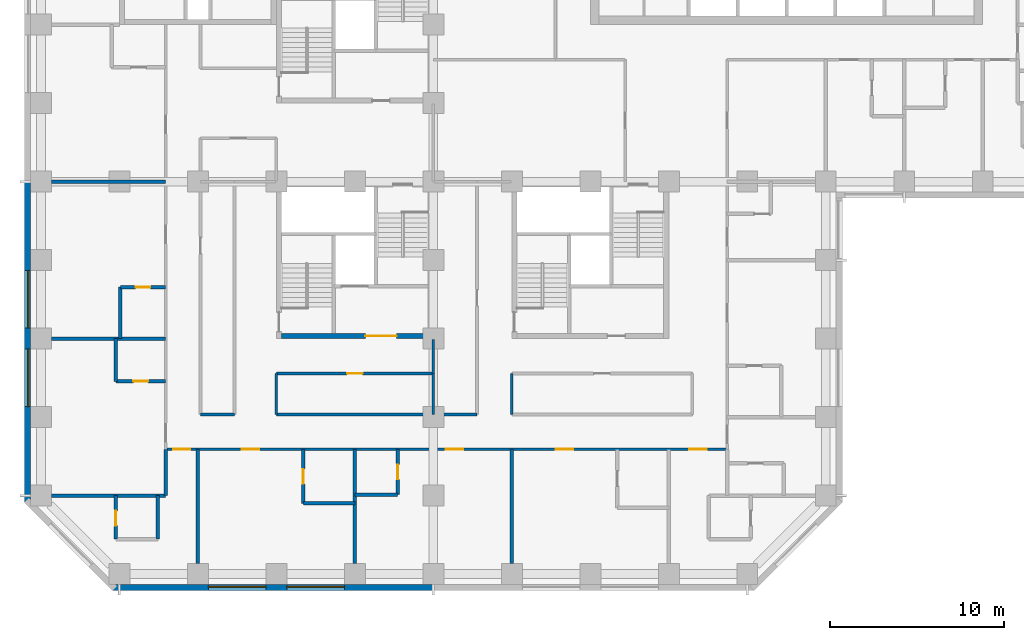
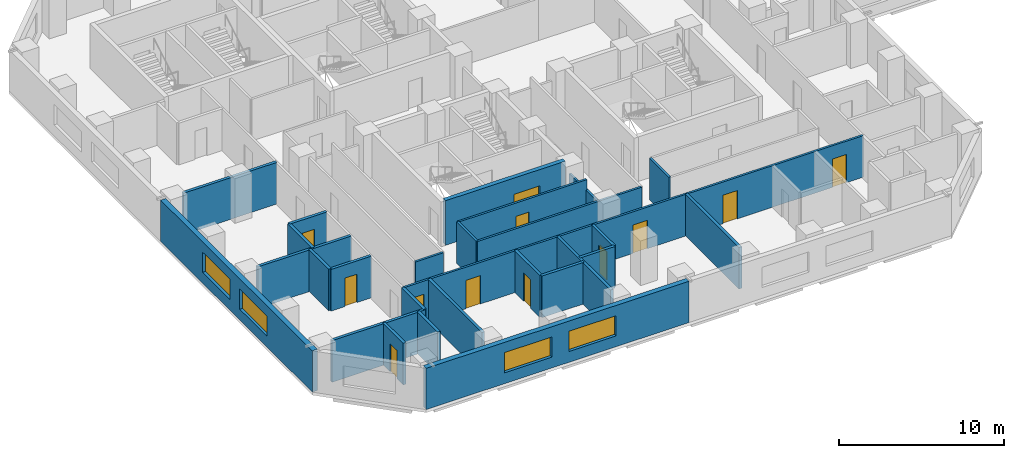
# One storey, part 3 of 13: 28 walls, 12 doors, 4 windows, 16 openings.
"""IFC4 building model written with IfcOpenShell, lengths in metres."""

from ifc_helpers import new_model, si_unit, direction, frame, frame_2d, origin, place, context, subcontext, project, spatial, rectangle, extrude, material, layer, layer_set, constituent, constituent_set, type_object, element, fill, save


model = new_model("IFC4")

# Units and contexts
model_context = context("Model", 3, precision=1e-05, world=origin(), true_north=direction((0.0, 1.0)))
body_context = subcontext(model_context, "Body", "Model", "MODEL_VIEW")
ifc_project = project(units=[si_unit("LENGTHUNIT", "METRE"), si_unit("AREAUNIT", "SQUARE_METRE"), si_unit("VOLUMEUNIT", "CUBIC_METRE"), si_unit("PLANEANGLEUNIT", "RADIAN"), si_unit("MASSUNIT", "GRAM", prefix="KILO")], contexts=[model_context])

# Site, building, storey
site_placement = place(None, origin())
site = spatial("IfcSite", under=ifc_project, at=site_placement, CompositionType="ELEMENT")
building_placement = place(site_placement, origin())
building = spatial("IfcBuilding", under=site, at=building_placement, Name="Quoin Convention Tower", CompositionType="ELEMENT")
storey_placement = place(building_placement, frame((0.0, 0.0, 62.699951171875)))
storey = spatial("IfcBuildingStorey", under=building, at=storey_placement, Name="L16", CompositionType="ELEMENT", Elevation=62.699951171875)

# Wall, openings, windows
ifc_material_1 = material(Name="Brick masonry", Category="masonry")
ifc_layer_1 = layer(ifc_material_1, 0.35009765625)
ifc_layer_set_1 = layer_set([ifc_layer_1], Name="Brick masonry")
wall_type_1 = type_object("IfcWallType", Name="Brick facade wall", PredefinedType="STANDARD", material=ifc_layer_set_1)
wall_1_placement = place(storey_placement, frame((17.6064453125, 17.22509765625, 0.0), z_axis=(0.0, 0.0, 1.0), x_axis=(1.0, 0.0, 0.0)))
wall_1 = element("IfcWall", 1, at=wall_1_placement, inside=storey, type_object=wall_type_1, Name="fw-L16-18000_18000", PredefinedType="STANDARD", context=body_context, shape_type="SweptSolid", body=[
    extrude(rectangle(XDim=18.3935546875, YDim=0.35009765625, at=frame_2d((9.19677734375, 0.0))), origin(), (0.0, 0.0, 1.0), 3.054931640625),
])
opening_1_placement = place(wall_1_placement, frame((5.493408203125, 0.0, 0.800048828125)))
opening_1 = element("IfcOpeningElement", 2, at=opening_1_placement, cuts=wall_1, Name="Opening W-01", PredefinedType="OPENING", context=body_context, shape_type="SweptSolid", body=[
    extrude(rectangle(XDim=3.300048828125, YDim=1.5, at=frame_2d((1.64990234375, 0.75))), frame((0.0, 0.18505859375, 0.0), z_axis=(0.0, -1.0, 0.0), x_axis=(1.0, 0.0, 0.0)), (0.0, 0.0, 1.0), 0.3701171875),
])
opening_2_placement = place(wall_1_placement, frame((9.993408203125, 0.0, 0.800048828125)))
opening_2 = element("IfcOpeningElement", 3, at=opening_2_placement, cuts=wall_1, Name="Opening W-01", PredefinedType="OPENING", context=body_context, shape_type="SweptSolid", body=[
    extrude(rectangle(XDim=3.300048828125, YDim=1.5, at=frame_2d((1.64990234375, 0.75))), frame((0.0, 0.18505859375, 0.0), z_axis=(0.0, -1.0, 0.0), x_axis=(1.0, 0.0, 0.0)), (0.0, 0.0, 1.0), 0.3701171875),
])
ifc_material_2 = material(Name="Aluminium", Category="aluminium")
ifc_constituent_1 = constituent(ifc_material_2, Name="Frame")
ifc_material_3 = material(Name="Insulated glass", Category="glass")
ifc_constituent_2 = constituent(ifc_material_3, Name="Glazing")
ifc_constituent_set = constituent_set(constituents=[ifc_constituent_1, ifc_constituent_2], Name="Aluminium")
window_type = type_object("IfcWindowType", Name="Hotel strip window", PartitioningType="DOUBLE_PANEL_VERTICAL", PredefinedType="WINDOW", material=ifc_constituent_set)
window_1_placement = place(opening_1_placement, origin())
window_1 = element("IfcWindow", 4, at=window_1_placement, inside=storey, type_object=window_type, Name="win-L16-24750_17225", OverallHeight=1.5, OverallWidth=3.300048828125, PartitioningType="SINGLE_PANEL", PredefinedType="WINDOW", context=body_context, shape_type="SweptSolid", body=[
    extrude(rectangle(XDim=3.300048828125, YDim=1.5, at=frame_2d((1.64990234375, 0.75))), frame((0.0, 0.0849609375, 0.0), z_axis=(0.0, -1.0, 0.0), x_axis=(1.0, 0.0, 0.0)), (0.0, 0.0, 1.0), 0.06005859375),
])
fill(opening_1, window_1)
window_2_placement = place(opening_2_placement, origin())
window_2 = element("IfcWindow", 5, at=window_2_placement, inside=storey, type_object=window_type, Name="win-L16-29250_17225", OverallHeight=1.5, OverallWidth=3.300048828125, PartitioningType="SINGLE_PANEL", PredefinedType="WINDOW", context=body_context, shape_type="SweptSolid", body=[
    extrude(rectangle(XDim=3.300048828125, YDim=1.5, at=frame_2d((1.64990234375, 0.75))), frame((0.0, 0.0849609375, 0.0), z_axis=(0.0, -1.0, 0.0), x_axis=(1.0, 0.0, 0.0)), (0.0, 0.0, 1.0), 0.06005859375),
])
fill(opening_2, window_2)

wall_2_placement = place(storey_placement, frame((12.72509765625, 40.5, 0.0), z_axis=(0.0, 0.0, 1.0), x_axis=(0.0, -1.0, 0.0)))
wall_2 = element("IfcWall", 6, at=wall_2_placement, inside=storey, type_object=wall_type_1, Name="fw-L16-13500_40500", PredefinedType="STANDARD", context=body_context, shape_type="SweptSolid", body=[
    extrude(rectangle(XDim=18.3935546875, YDim=0.35009765625, at=frame_2d((9.19677734375, 0.0))), origin(), (0.0, 0.0, 1.0), 3.054931640625),
])
opening_3_placement = place(wall_2_placement, frame((5.10009765625, 0.0, 0.800048828125)))
opening_3 = element("IfcOpeningElement", 7, at=opening_3_placement, cuts=wall_2, Name="Opening W-01", PredefinedType="OPENING", context=body_context, shape_type="SweptSolid", body=[
    extrude(rectangle(XDim=3.300048828125, YDim=1.5, at=frame_2d((1.64990234375, 0.75))), frame((0.0, 0.18505859375, 0.0), z_axis=(0.0, -1.0, 0.0), x_axis=(1.0, 0.0, 0.0)), (0.0, 0.0, 1.0), 0.3701171875),
])
opening_4_placement = place(wall_2_placement, frame((9.60009765625, 0.0, 0.800048828125)))
opening_4 = element("IfcOpeningElement", 8, at=opening_4_placement, cuts=wall_2, Name="Opening W-01", PredefinedType="OPENING", context=body_context, shape_type="SweptSolid", body=[
    extrude(rectangle(XDim=3.300048828125, YDim=1.5, at=frame_2d((1.64990234375, 0.75))), frame((0.0, 0.18505859375, 0.0), z_axis=(0.0, -1.0, 0.0), x_axis=(1.0, 0.0, 0.0)), (0.0, 0.0, 1.0), 0.3701171875),
])
window_3_placement = place(opening_3_placement, origin())
window_3 = element("IfcWindow", 9, at=window_3_placement, inside=storey, type_object=window_type, Name="win-L16-12725_33750", OverallHeight=1.5, OverallWidth=3.300048828125, PartitioningType="SINGLE_PANEL", PredefinedType="WINDOW", context=body_context, shape_type="SweptSolid", body=[
    extrude(rectangle(XDim=3.300048828125, YDim=1.5, at=frame_2d((1.64990234375, 0.75))), frame((0.0, 0.0849609375, 0.0), z_axis=(0.0, -1.0, 0.0), x_axis=(1.0, 0.0, 0.0)), (0.0, 0.0, 1.0), 0.06005859375),
])
fill(opening_3, window_3)
window_4_placement = place(opening_4_placement, origin())
window_4 = element("IfcWindow", 10, at=window_4_placement, inside=storey, type_object=window_type, Name="win-L16-12725_29250", OverallHeight=1.5, OverallWidth=3.300048828125, PartitioningType="SINGLE_PANEL", PredefinedType="WINDOW", context=body_context, shape_type="SweptSolid", body=[
    extrude(rectangle(XDim=3.300048828125, YDim=1.5, at=frame_2d((1.64990234375, 0.75))), frame((0.0, 0.0849609375, 0.0), z_axis=(0.0, -1.0, 0.0), x_axis=(1.0, 0.0, 0.0)), (0.0, 0.0, 1.0), 0.06005859375),
])
fill(opening_4, window_4)

# Wall, opening, door
ifc_material_4 = material(Name="Concrete C80", Category="concrete")
ifc_layer_2 = layer(ifc_material_4, 0.300048828125)
ifc_layer_set_2 = layer_set([ifc_layer_2], Name="Concrete C80")
wall_type_2 = type_object("IfcWallType", Name="RC CORE WALL 300 C80", PredefinedType="SHEAR", material=ifc_layer_set_2)
wall_3_placement = place(storey_placement, frame((27.300048828125, 31.64990234375, 0.0), z_axis=(0.0, 0.0, 1.0), x_axis=(1.0, 0.0, 0.0)))
wall_3 = element("IfcWall", 11, at=wall_3_placement, inside=storey, type_object=wall_type_2, Name="cwl-P4-L16-S", PredefinedType="SHEAR", context=body_context, shape_type="SweptSolid", body=[
    extrude(rectangle(XDim=8.39990234375, YDim=0.300048828125, at=frame_2d((4.199951171875, 0.0))), origin(), (0.0, 0.0, 1.0), 3.300048828125),
])
opening_5_placement = place(wall_3_placement, frame((4.800048828125, 0.0, 0.0)))
opening_5 = element("IfcOpeningElement", 12, at=opening_5_placement, cuts=wall_3, Name="Opening DCV0-62", PredefinedType="OPENING", context=body_context, shape_type="SweptSolid", body=[
    extrude(rectangle(XDim=1.800048828125, YDim=2.10009765625, at=frame_2d((0.89990234375, 1.050048828125))), frame((0.0, 0.159912109375, 0.0), z_axis=(0.0, -1.0, 0.0), x_axis=(1.0, 0.0, 0.0)), (0.0, 0.0, 1.0), 0.320068359375),
])
ifc_material_5 = material(Name="Steel door leaf", Category="steel")
door_type_1 = type_object("IfcDoorType", Name="Goods lobby door 1800 x 2100", OperationType="SINGLE_SWING_LEFT", PredefinedType="DOOR", material=ifc_material_5)
door_1_placement = place(opening_5_placement, origin())
door_1 = element("IfcDoor", 13, at=door_1_placement, inside=storey, type_object=door_type_1, Name="cd-P4-L16-R2-S", OperationType="SINGLE_SWING_LEFT", OverallHeight=2.10009765625, OverallWidth=1.800048828125, PredefinedType="DOOR", context=body_context, shape_type="SweptSolid", body=[
    extrude(rectangle(XDim=1.800048828125, YDim=2.10009765625, at=frame_2d((0.89990234375, 1.050048828125))), frame((0.0, 0.02490234375, 0.0), z_axis=(0.0, -1.0, 0.0), x_axis=(1.0, 0.0, 0.0)), (0.0, 0.0, 1.0), 0.050048828125),
])
fill(opening_5, door_1)

# Walls
ifc_material_6 = material(Name="Concrete C50", Category="concrete")
ifc_layer_3 = layer(ifc_material_6, 0.199951171875)
ifc_layer_set_3 = layer_set([ifc_layer_3], Name="Concrete C50")
wall_type_3 = type_object("IfcWallType", Name="RC party wall", PredefinedType="SOLIDWALL", material=ifc_layer_set_3)
for number, where, z_axis, x_axis, name in (
    (14, (22.5, 18.60009765625, 0.0), (0.0, 0.0, 1.0), (0.0, 1.0, 0.0), "pw-L16-039"),
    (15, (31.5, 18.60009765625, 0.0), (0.0, 0.0, 1.0), (0.0, 1.0, 0.0), "pw-L16-040"),
    (16, (40.5, 18.60009765625, 0.0), (0.0, 0.0, 1.0), (0.0, 1.0, 0.0), "pw-L16-041"),
):
    element("IfcWall", number, at=place(storey_placement, frame(where, z_axis=z_axis, x_axis=x_axis)), inside=storey, type_object=wall_type_3, Name=name, PredefinedType="SOLIDWALL", context=body_context, shape_type="SweptSolid", body=[
        extrude(rectangle(XDim=6.5498046875, YDim=0.199951171875, at=frame_2d((3.27490234375, 0.0))), origin(), (0.0, 0.0, 1.0), 3.080078125),
    ])

# Wall, opening, door
wall_4_placement = place(storey_placement, frame((17.800048828125, 20.0, 0.0), z_axis=(0.0, 0.0, 1.0), x_axis=(0.0, 1.0, 0.0)))
wall_4 = element("IfcWall", 17, at=wall_4_placement, inside=storey, type_object=wall_type_3, Name="pw-L16-044", PredefinedType="SOLIDWALL", context=body_context, shape_type="SweptSolid", body=[
    extrude(rectangle(XDim=2.5, YDim=0.199951171875, at=frame_2d((1.25, 0.0))), origin(), (0.0, 0.0, 1.0), 3.080078125),
])
opening_6_placement = place(wall_4_placement, frame((0.77490234375, 0.0, 0.0)))
opening_6 = element("IfcOpeningElement", 18, at=opening_6_placement, cuts=wall_4, Name="Opening DHOTEL-E-36", PredefinedType="OPENING", context=body_context, shape_type="SweptSolid", body=[
    extrude(rectangle(XDim=0.85009765625, YDim=2.10009765625, at=frame_2d((0.425048828125, 1.050048828125))), frame((0.0, 0.10986328125, 0.0), z_axis=(0.0, -1.0, 0.0), x_axis=(1.0, 0.0, 0.0)), (0.0, 0.0, 1.0), 0.219970703125),
])
door_type_2 = type_object("IfcDoorType", Name="Bathroom door", OperationType="SINGLE_SWING_LEFT", PredefinedType="DOOR", material=ifc_material_5)
door_2_placement = place(opening_6_placement, origin())
door_2 = element("IfcDoor", 19, at=door_2_placement, inside=storey, type_object=door_type_2, Name="dr-L16-050", OperationType="SINGLE_SWING_RIGHT", OverallHeight=2.10009765625, OverallWidth=0.85009765625, PredefinedType="DOOR", context=body_context, shape_type="SweptSolid", body=[
    extrude(rectangle(XDim=0.85009765625, YDim=2.10009765625, at=frame_2d((0.425048828125, 1.050048828125))), frame((0.0, 0.02490234375, 0.0), z_axis=(0.0, -1.0, 0.0), x_axis=(1.0, 0.0, 0.0)), (0.0, 0.0, 1.0), 0.050048828125),
])
fill(opening_6, door_2)

# Walls
wall_5_placement = place(storey_placement, frame((20.199951171875, 20.0, 0.0), z_axis=(0.0, 0.0, 1.0), x_axis=(0.0, 1.0, 0.0)))
element("IfcWall", 20, at=wall_5_placement, inside=storey, type_object=wall_type_3, Name="pw-L16-045", PredefinedType="SOLIDWALL", context=body_context, shape_type="SweptSolid", body=[
    extrude(rectangle(XDim=2.5, YDim=0.199951171875, at=frame_2d((1.25, 0.0))), origin(), (0.0, 0.0, 1.0), 3.080078125),
])
wall_6_placement = place(storey_placement, frame((28.550048828125, 22.050048828125, 0.0), z_axis=(0.0, 0.0, 1.0), x_axis=(1.0, 0.0, 0.0)))
element("IfcWall", 21, at=wall_6_placement, inside=storey, type_object=wall_type_3, Name="pw-L16-051", PredefinedType="SOLIDWALL", context=body_context, shape_type="SweptSolid", body=[
    extrude(rectangle(XDim=2.949951171875, YDim=0.199951171875, at=frame_2d((1.47509765625, 0.0))), origin(), (0.0, 0.0, 1.0), 3.080078125),
])

# Wall, opening, door
wall_7_placement = place(storey_placement, frame((28.550048828125, 22.050048828125, 0.0), z_axis=(0.0, 0.0, 1.0), x_axis=(0.0, 1.0, 0.0)))
wall_7 = element("IfcWall", 22, at=wall_7_placement, inside=storey, type_object=wall_type_3, Name="pw-L16-052", PredefinedType="SOLIDWALL", context=body_context, shape_type="SweptSolid", body=[
    extrude(rectangle(XDim=3.099853515625, YDim=0.199951171875, at=frame_2d((1.5498046875, 0.0))), origin(), (0.0, 0.0, 1.0), 3.080078125),
])
opening_7_placement = place(wall_7_placement, frame((1.125, 0.0, 0.0)))
opening_7 = element("IfcOpeningElement", 23, at=opening_7_placement, cuts=wall_7, Name="Opening DHOTEL-E-39", PredefinedType="OPENING", context=body_context, shape_type="SweptSolid", body=[
    extrude(rectangle(XDim=0.85009765625, YDim=2.10009765625, at=frame_2d((0.425048828125, 1.050048828125))), frame((0.0, 0.10986328125, 0.0), z_axis=(0.0, -1.0, 0.0), x_axis=(1.0, 0.0, 0.0)), (0.0, 0.0, 1.0), 0.219970703125),
])
door_3_placement = place(opening_7_placement, origin())
door_3 = element("IfcDoor", 24, at=door_3_placement, inside=storey, type_object=door_type_2, Name="dr-L16-002", OperationType="SINGLE_SWING_RIGHT", OverallHeight=2.10009765625, OverallWidth=0.85009765625, PredefinedType="DOOR", context=body_context, shape_type="SweptSolid", body=[
    extrude(rectangle(XDim=0.85009765625, YDim=2.10009765625, at=frame_2d((0.425048828125, 1.050048828125))), frame((0.0, 0.02490234375, 0.0), z_axis=(0.0, -1.0, 0.0), x_axis=(1.0, 0.0, 0.0)), (0.0, 0.0, 1.0), 0.050048828125),
])
fill(opening_7, door_3)

# Walls
wall_8_placement = place(storey_placement, frame((14.10009765625, 22.5, 0.0), z_axis=(0.0, 0.0, 1.0), x_axis=(1.0, 0.0, 0.0)))
element("IfcWall", 25, at=wall_8_placement, inside=storey, type_object=wall_type_3, Name="pw-L16-053", PredefinedType="SOLIDWALL", context=body_context, shape_type="SweptSolid", body=[
    extrude(rectangle(XDim=6.5498046875, YDim=0.199951171875, at=frame_2d((3.27490234375, 0.0))), origin(), (0.0, 0.0, 1.0), 3.080078125),
])
wall_9_placement = place(storey_placement, frame((20.64990234375, 22.5, 0.0), z_axis=(0.0, 0.0, 1.0), x_axis=(0.0, 1.0, 0.0)))
element("IfcWall", 26, at=wall_9_placement, inside=storey, type_object=wall_type_3, Name="pw-L16-054", PredefinedType="SOLIDWALL", context=body_context, shape_type="SweptSolid", body=[
    extrude(rectangle(XDim=2.64990234375, YDim=0.199951171875, at=frame_2d((1.324951171875, 0.0))), origin(), (0.0, 0.0, 1.0), 3.080078125),
])
wall_10_placement = place(storey_placement, frame((31.5, 22.550048828125, 0.0), z_axis=(0.0, 0.0, 1.0), x_axis=(1.0, 0.0, 0.0)))
element("IfcWall", 27, at=wall_10_placement, inside=storey, type_object=wall_type_3, Name="pw-L16-058", PredefinedType="SOLIDWALL", context=body_context, shape_type="SweptSolid", body=[
    extrude(rectangle(XDim=2.449951171875, YDim=0.199951171875, at=frame_2d((1.22509765625, 0.0))), origin(), (0.0, 0.0, 1.0), 3.080078125),
])

# Wall, opening, door
wall_11_placement = place(storey_placement, frame((33.949951171875, 22.550048828125, 0.0), z_axis=(0.0, 0.0, 1.0), x_axis=(0.0, 1.0, 0.0)))
wall_11 = element("IfcWall", 28, at=wall_11_placement, inside=storey, type_object=wall_type_3, Name="pw-L16-059", PredefinedType="SOLIDWALL", context=body_context, shape_type="SweptSolid", body=[
    extrude(rectangle(XDim=2.599853515625, YDim=0.199951171875, at=frame_2d((1.2998046875, 0.0))), origin(), (0.0, 0.0, 1.0), 3.080078125),
])
opening_8_placement = place(wall_11_placement, frame((0.875, 0.0, 0.0)))
opening_8 = element("IfcOpeningElement", 29, at=opening_8_placement, cuts=wall_11, Name="Opening DHOTEL-E-40", PredefinedType="OPENING", context=body_context, shape_type="SweptSolid", body=[
    extrude(rectangle(XDim=0.85009765625, YDim=2.10009765625, at=frame_2d((0.425048828125, 1.050048828125))), frame((0.0, 0.10986328125, 0.0), z_axis=(0.0, -1.0, 0.0), x_axis=(1.0, 0.0, 0.0)), (0.0, 0.0, 1.0), 0.219970703125),
])
door_4_placement = place(opening_8_placement, frame((0.85009765625, 0.0, 0.0), z_axis=(0.0, 0.0, 1.0), x_axis=(-1.0, 0.0, 0.0)))
door_4 = element("IfcDoor", 30, at=door_4_placement, inside=storey, type_object=door_type_2, Name="dr-L16-004", OperationType="SINGLE_SWING_LEFT", OverallHeight=2.10009765625, OverallWidth=0.85009765625, PredefinedType="DOOR", context=body_context, shape_type="SweptSolid", body=[
    extrude(rectangle(XDim=0.85009765625, YDim=2.10009765625, at=frame_2d((0.425048828125, 1.050048828125))), frame((0.0, 0.02490234375, 0.0), z_axis=(0.0, -1.0, 0.0), x_axis=(1.0, 0.0, 0.0)), (0.0, 0.0, 1.0), 0.050048828125),
])
fill(opening_8, door_4)

wall_12_placement = place(storey_placement, frame((17.800048828125, 29.050048828125, 0.0), z_axis=(0.0, 0.0, 1.0), x_axis=(1.0, 0.0, 0.0)))
wall_12 = element("IfcWall", 31, at=wall_12_placement, inside=storey, type_object=wall_type_3, Name="pw-L16-063", PredefinedType="SOLIDWALL", context=body_context, shape_type="SweptSolid", body=[
    extrude(rectangle(XDim=2.849853515625, YDim=0.199951171875, at=frame_2d((1.4248046875, 0.0))), origin(), (0.0, 0.0, 1.0), 3.080078125),
])
opening_9_placement = place(wall_12_placement, frame((1.0, 0.0, 0.0)))
opening_9 = element("IfcOpeningElement", 32, at=opening_9_placement, cuts=wall_12, Name="Opening DHOTEL-E-42", PredefinedType="OPENING", context=body_context, shape_type="SweptSolid", body=[
    extrude(rectangle(XDim=0.85009765625, YDim=2.10009765625, at=frame_2d((0.425048828125, 1.050048828125))), frame((0.0, 0.10986328125, 0.0), z_axis=(0.0, -1.0, 0.0), x_axis=(1.0, 0.0, 0.0)), (0.0, 0.0, 1.0), 0.219970703125),
])
door_5_placement = place(opening_9_placement, frame((0.85009765625, 0.0, 0.0), z_axis=(0.0, 0.0, 1.0), x_axis=(-1.0, 0.0, 0.0)))
door_5 = element("IfcDoor", 33, at=door_5_placement, inside=storey, type_object=door_type_2, Name="dr-L16-008", OperationType="SINGLE_SWING_LEFT", OverallHeight=2.10009765625, OverallWidth=0.85009765625, PredefinedType="DOOR", context=body_context, shape_type="SweptSolid", body=[
    extrude(rectangle(XDim=0.85009765625, YDim=2.10009765625, at=frame_2d((0.425048828125, 1.050048828125))), frame((0.0, 0.02490234375, 0.0), z_axis=(0.0, -1.0, 0.0), x_axis=(1.0, 0.0, 0.0)), (0.0, 0.0, 1.0), 0.050048828125),
])
fill(opening_9, door_5)

# Walls
wall_13_placement = place(storey_placement, frame((17.800048828125, 29.050048828125, 0.0), z_axis=(0.0, 0.0, 1.0), x_axis=(0.0, 1.0, 0.0)))
element("IfcWall", 34, at=wall_13_placement, inside=storey, type_object=wall_type_3, Name="pw-L16-064", PredefinedType="SOLIDWALL", context=body_context, shape_type="SweptSolid", body=[
    extrude(rectangle(XDim=2.449951171875, YDim=0.199951171875, at=frame_2d((1.22509765625, 0.0))), origin(), (0.0, 0.0, 1.0), 3.080078125),
])
wall_14_placement = place(storey_placement, frame((14.10009765625, 31.5, 0.0), z_axis=(0.0, 0.0, 1.0), x_axis=(1.0, 0.0, 0.0)))
element("IfcWall", 35, at=wall_14_placement, inside=storey, type_object=wall_type_3, Name="pw-L16-066", PredefinedType="SOLIDWALL", context=body_context, shape_type="SweptSolid", body=[
    extrude(rectangle(XDim=6.5498046875, YDim=0.199951171875, at=frame_2d((3.27490234375, 0.0))), origin(), (0.0, 0.0, 1.0), 3.080078125),
])
wall_15_placement = place(storey_placement, frame((18.050048828125, 31.5, 0.0), z_axis=(0.0, 0.0, 1.0), x_axis=(0.0, 1.0, 0.0)))
element("IfcWall", 36, at=wall_15_placement, inside=storey, type_object=wall_type_3, Name="pw-L16-067", PredefinedType="SOLIDWALL", context=body_context, shape_type="SweptSolid", body=[
    extrude(rectangle(XDim=2.949951171875, YDim=0.199951171875, at=frame_2d((1.47509765625, 0.0))), origin(), (0.0, 0.0, 1.0), 3.080078125),
])

# Wall, opening, door
wall_16_placement = place(storey_placement, frame((18.050048828125, 34.449951171875, 0.0), z_axis=(0.0, 0.0, 1.0), x_axis=(1.0, 0.0, 0.0)))
wall_16 = element("IfcWall", 37, at=wall_16_placement, inside=storey, type_object=wall_type_3, Name="pw-L16-068", PredefinedType="SOLIDWALL", context=body_context, shape_type="SweptSolid", body=[
    extrude(rectangle(XDim=2.599853515625, YDim=0.199951171875, at=frame_2d((1.2998046875, 0.0))), origin(), (0.0, 0.0, 1.0), 3.080078125),
])
opening_10_placement = place(wall_16_placement, frame((0.875, 0.0, 0.0)))
opening_10 = element("IfcOpeningElement", 38, at=opening_10_placement, cuts=wall_16, Name="Opening DHOTEL-E-44", PredefinedType="OPENING", context=body_context, shape_type="SweptSolid", body=[
    extrude(rectangle(XDim=0.85009765625, YDim=2.10009765625, at=frame_2d((0.425048828125, 1.050048828125))), frame((0.0, 0.10986328125, 0.0), z_axis=(0.0, -1.0, 0.0), x_axis=(1.0, 0.0, 0.0)), (0.0, 0.0, 1.0), 0.219970703125),
])
door_6_placement = place(opening_10_placement, origin())
door_6 = element("IfcDoor", 39, at=door_6_placement, inside=storey, type_object=door_type_2, Name="dr-L16-010", OperationType="SINGLE_SWING_RIGHT", OverallHeight=2.10009765625, OverallWidth=0.85009765625, PredefinedType="DOOR", context=body_context, shape_type="SweptSolid", body=[
    extrude(rectangle(XDim=0.85009765625, YDim=2.10009765625, at=frame_2d((0.425048828125, 1.050048828125))), frame((0.0, 0.02490234375, 0.0), z_axis=(0.0, -1.0, 0.0), x_axis=(1.0, 0.0, 0.0)), (0.0, 0.0, 1.0), 0.050048828125),
])
fill(opening_10, door_6)

# Wall
wall_17_placement = place(storey_placement, frame((14.10009765625, 40.5, 0.0), z_axis=(0.0, 0.0, 1.0), x_axis=(1.0, 0.0, 0.0)))
element("IfcWall", 40, at=wall_17_placement, inside=storey, type_object=wall_type_3, Name="pw-L16-072", PredefinedType="SOLIDWALL", context=body_context, shape_type="SweptSolid", body=[
    extrude(rectangle(XDim=6.5498046875, YDim=0.199951171875, at=frame_2d((3.27490234375, 0.0))), origin(), (0.0, 0.0, 1.0), 3.080078125),
])

# Wall, openings, doors
ifc_material_7 = material(Name="Plasterboard")
ifc_layer_4 = layer(ifc_material_7, 0.012451171875, Name="Finish")
ifc_material_8 = material(Name="Steel stud framing", Category="steel")
ifc_layer_5 = layer(ifc_material_8, 0.125, Name="Structure")
ifc_layer_6 = layer(ifc_material_7, 0.012451171875, Name="Finish")
ifc_layer_set_4 = layer_set([ifc_layer_4, ifc_layer_5, ifc_layer_6], Name="Steel stud framing")
wall_type_4 = type_object("IfcWallType", Name="corridor partition", PredefinedType="PARTITIONING", material=ifc_layer_set_4)
wall_18_placement = place(storey_placement, frame((20.64990234375, 25.14990234375, 0.0), z_axis=(0.0, 0.0, 1.0), x_axis=(1.0, 0.0, 0.0)))
wall_18 = element("IfcWall", 41, at=wall_18_placement, inside=storey, type_object=wall_type_4, Name="pw-L16-005", PredefinedType="PARTITIONING", context=body_context, shape_type="SweptSolid", body=[
    extrude(rectangle(XDim=32.2001953125, YDim=0.14990234375, at=frame_2d((16.10009765625, 0.0))), origin(), (0.0, 0.0, 1.0), 3.080078125),
])
opening_11_placement = place(wall_18_placement, frame((4.375, 0.0, 0.0)))
opening_11 = element("IfcOpeningElement", 42, at=opening_11_placement, cuts=wall_18, Name="Opening DHOTEL-E-02", PredefinedType="OPENING", context=body_context, shape_type="SweptSolid", body=[
    extrude(rectangle(XDim=1.0, YDim=2.10009765625, at=frame_2d((0.5, 1.050048828125))), frame((0.0, 0.0849609375, 0.0), z_axis=(0.0, -1.0, 0.0), x_axis=(1.0, 0.0, 0.0)), (0.0, 0.0, 1.0), 0.169921875),
])
opening_12_placement = place(wall_18_placement, frame((16.074951171875, 0.0, 0.0)))
opening_12 = element("IfcOpeningElement", 43, at=opening_12_placement, cuts=wall_18, Name="Opening DHOTEL-E-03", PredefinedType="OPENING", context=body_context, shape_type="SweptSolid", body=[
    extrude(rectangle(XDim=1.0, YDim=2.10009765625, at=frame_2d((0.5, 1.050048828125))), frame((0.0, 0.0849609375, 0.0), z_axis=(0.0, -1.0, 0.0), x_axis=(1.0, 0.0, 0.0)), (0.0, 0.0, 1.0), 0.169921875),
])
opening_13_placement = place(wall_18_placement, frame((22.375, 0.0, 0.0)))
opening_13 = element("IfcOpeningElement", 44, at=opening_13_placement, cuts=wall_18, Name="Opening DHOTEL-E-04", PredefinedType="OPENING", context=body_context, shape_type="SweptSolid", body=[
    extrude(rectangle(XDim=1.0, YDim=2.10009765625, at=frame_2d((0.5, 1.050048828125))), frame((0.0, 0.0849609375, 0.0), z_axis=(0.0, -1.0, 0.0), x_axis=(1.0, 0.0, 0.0)), (0.0, 0.0, 1.0), 0.169921875),
])
opening_14_placement = place(wall_18_placement, frame((0.425048828125, 0.0, 0.0)))
opening_14 = element("IfcOpeningElement", 45, at=opening_14_placement, cuts=wall_18, Name="Opening DHOTEL-E-01", PredefinedType="OPENING", context=body_context, shape_type="SweptSolid", body=[
    extrude(rectangle(XDim=1.0, YDim=2.10009765625, at=frame_2d((0.5, 1.050048828125))), frame((0.0, 0.0849609375, 0.0), z_axis=(0.0, -1.0, 0.0), x_axis=(1.0, 0.0, 0.0)), (0.0, 0.0, 1.0), 0.169921875),
])
opening_15_placement = place(wall_18_placement, frame((30.02490234375, 0.0, 0.0)))
opening_15 = element("IfcOpeningElement", 46, at=opening_15_placement, cuts=wall_18, Name="Opening DHOTEL-E-05", PredefinedType="OPENING", context=body_context, shape_type="SweptSolid", body=[
    extrude(rectangle(XDim=1.0, YDim=2.10009765625, at=frame_2d((0.5, 1.050048828125))), frame((0.0, 0.0849609375, 0.0), z_axis=(0.0, -1.0, 0.0), x_axis=(1.0, 0.0, 0.0)), (0.0, 0.0, 1.0), 0.169921875),
])
door_type_3 = type_object("IfcDoorType", Name="Hotel room door", OperationType="SINGLE_SWING_LEFT", PredefinedType="DOOR", material=ifc_material_5)
door_7_placement = place(opening_11_placement, frame((1.0, 0.0, 0.0), z_axis=(0.0, 0.0, 1.0), x_axis=(-1.0, 0.0, 0.0)))
door_7 = element("IfcDoor", 47, at=door_7_placement, inside=storey, type_object=door_type_3, Name="dr-L16-001", OperationType="SINGLE_SWING_LEFT", OverallHeight=2.10009765625, OverallWidth=1.0, PredefinedType="DOOR", context=body_context, shape_type="SweptSolid", body=[
    extrude(rectangle(XDim=1.0, YDim=2.10009765625, at=frame_2d((0.5, 1.050048828125))), frame((0.0, 0.02490234375, 0.0), z_axis=(0.0, -1.0, 0.0), x_axis=(1.0, 0.0, 0.0)), (0.0, 0.0, 1.0), 0.050048828125),
])
fill(opening_11, door_7)
door_8_placement = place(opening_12_placement, frame((1.0, 0.0, 0.0), z_axis=(0.0, 0.0, 1.0), x_axis=(-1.0, 0.0, 0.0)))
door_8 = element("IfcDoor", 48, at=door_8_placement, inside=storey, type_object=door_type_3, Name="dr-L16-003", OperationType="SINGLE_SWING_LEFT", OverallHeight=2.10009765625, OverallWidth=1.0, PredefinedType="DOOR", context=body_context, shape_type="SweptSolid", body=[
    extrude(rectangle(XDim=1.0, YDim=2.10009765625, at=frame_2d((0.5, 1.050048828125))), frame((0.0, 0.02490234375, 0.0), z_axis=(0.0, -1.0, 0.0), x_axis=(1.0, 0.0, 0.0)), (0.0, 0.0, 1.0), 0.050048828125),
])
fill(opening_12, door_8)
door_9_placement = place(opening_13_placement, frame((1.0, 0.0, 0.0), z_axis=(0.0, 0.0, 1.0), x_axis=(-1.0, 0.0, 0.0)))
door_9 = element("IfcDoor", 49, at=door_9_placement, inside=storey, type_object=door_type_3, Name="dr-L16-005", OperationType="SINGLE_SWING_LEFT", OverallHeight=2.10009765625, OverallWidth=1.0, PredefinedType="DOOR", context=body_context, shape_type="SweptSolid", body=[
    extrude(rectangle(XDim=1.0, YDim=2.10009765625, at=frame_2d((0.5, 1.050048828125))), frame((0.0, 0.02490234375, 0.0), z_axis=(0.0, -1.0, 0.0), x_axis=(1.0, 0.0, 0.0)), (0.0, 0.0, 1.0), 0.050048828125),
])
fill(opening_13, door_9)
door_10_placement = place(opening_14_placement, frame((1.0, 0.0, 0.0), z_axis=(0.0, 0.0, 1.0), x_axis=(-1.0, 0.0, 0.0)))
door_10 = element("IfcDoor", 50, at=door_10_placement, inside=storey, type_object=door_type_3, Name="dr-L16-049", OperationType="SINGLE_SWING_LEFT", OverallHeight=2.10009765625, OverallWidth=1.0, PredefinedType="DOOR", context=body_context, shape_type="SweptSolid", body=[
    extrude(rectangle(XDim=1.0, YDim=2.10009765625, at=frame_2d((0.5, 1.050048828125))), frame((0.0, 0.02490234375, 0.0), z_axis=(0.0, -1.0, 0.0), x_axis=(1.0, 0.0, 0.0)), (0.0, 0.0, 1.0), 0.050048828125),
])
fill(opening_14, door_10)
door_11_placement = place(opening_15_placement, frame((1.0, 0.0, 0.0), z_axis=(0.0, 0.0, 1.0), x_axis=(-1.0, 0.0, 0.0)))
door_11 = element("IfcDoor", 51, at=door_11_placement, inside=storey, type_object=door_type_3, Name="dr-L16-051", OperationType="SINGLE_SWING_LEFT", OverallHeight=2.10009765625, OverallWidth=1.0, PredefinedType="DOOR", context=body_context, shape_type="SweptSolid", body=[
    extrude(rectangle(XDim=1.0, YDim=2.10009765625, at=frame_2d((0.5, 1.050048828125))), frame((0.0, 0.02490234375, 0.0), z_axis=(0.0, -1.0, 0.0), x_axis=(1.0, 0.0, 0.0)), (0.0, 0.0, 1.0), 0.050048828125),
])
fill(opening_15, door_11)

# Walls
wall_19_placement = place(storey_placement, frame((22.64990234375, 27.14990234375, 0.0), z_axis=(0.0, 0.0, 1.0), x_axis=(1.0, 0.0, 0.0)))
element("IfcWall", 52, at=wall_19_placement, inside=storey, type_object=wall_type_4, Name="pw-L16-008", PredefinedType="PARTITIONING", context=body_context, shape_type="SweptSolid", body=[
    extrude(rectangle(XDim=1.9501953125, YDim=0.14990234375, at=frame_2d((0.97509765625, 0.0))), origin(), (0.0, 0.0, 1.0), 3.080078125),
])
wall_20_placement = place(storey_placement, frame((27.0, 27.14990234375, 0.0), z_axis=(0.0, 0.0, 1.0), x_axis=(1.0, 0.0, 0.0)))
element("IfcWall", 53, at=wall_20_placement, inside=storey, type_object=wall_type_4, Name="pw-L16-011", PredefinedType="PARTITIONING", context=body_context, shape_type="SweptSolid", body=[
    extrude(rectangle(XDim=11.5, YDim=0.14990234375, at=frame_2d((5.75, 0.0))), origin(), (0.0, 0.0, 1.0), 3.080078125),
])
for number, where, z_axis, x_axis, name in (
    (54, (27.0, 27.14990234375, 0.0), (0.0, 0.0, 1.0), (0.0, 1.0, 0.0), "pw-L16-012"),
    (55, (40.5, 27.14990234375, 0.0), (0.0, 0.0, 1.0), (0.0, 1.0, 0.0), "pw-L16-015"),
):
    element("IfcWall", number, at=place(storey_placement, frame(where, z_axis=z_axis, x_axis=x_axis)), inside=storey, type_object=wall_type_4, Name=name, PredefinedType="PARTITIONING", context=body_context, shape_type="SweptSolid", body=[
        extrude(rectangle(XDim=2.35009765625, YDim=0.14990234375, at=frame_2d((1.175048828125, 0.0))), origin(), (0.0, 0.0, 1.0), 3.080078125),
    ])

# Wall, opening, door
wall_21_placement = place(storey_placement, frame((27.0, 29.5, 0.0), z_axis=(0.0, 0.0, 1.0), x_axis=(1.0, 0.0, 0.0)))
wall_21 = element("IfcWall", 56, at=wall_21_placement, inside=storey, type_object=wall_type_4, Name="pw-L16-017", PredefinedType="PARTITIONING", context=body_context, shape_type="SweptSolid", body=[
    extrude(rectangle(XDim=9.0, YDim=0.14990234375, at=frame_2d((4.5, 0.0))), origin(), (0.0, 0.0, 1.0), 3.080078125),
])
opening_16_placement = place(wall_21_placement, frame((4.050048828125, 0.0, 0.0)))
opening_16 = element("IfcOpeningElement", 57, at=opening_16_placement, cuts=wall_21, Name="Opening DHOTEL-E-15", PredefinedType="OPENING", context=body_context, shape_type="SweptSolid", body=[
    extrude(rectangle(XDim=0.89990234375, YDim=2.10009765625, at=frame_2d((0.449951171875, 1.050048828125))), frame((0.0, 0.0849609375, 0.0), z_axis=(0.0, -1.0, 0.0), x_axis=(1.0, 0.0, 0.0)), (0.0, 0.0, 1.0), 0.169921875),
])
door_type_4 = type_object("IfcDoorType", Name="Single room door", OperationType="SINGLE_SWING_RIGHT", PredefinedType="DOOR", material=ifc_material_5)
door_12_placement = place(opening_16_placement, frame((0.89990234375, 0.0, 0.0), z_axis=(0.0, 0.0, 1.0), x_axis=(-1.0, 0.0, 0.0)))
door_12 = element("IfcDoor", 58, at=door_12_placement, inside=storey, type_object=door_type_4, Name="dr-L16-062", OperationType="SINGLE_SWING_LEFT", OverallHeight=2.10009765625, OverallWidth=0.89990234375, PredefinedType="DOOR", context=body_context, shape_type="SweptSolid", body=[
    extrude(rectangle(XDim=0.89990234375, YDim=2.10009765625, at=frame_2d((0.449951171875, 1.050048828125))), frame((0.0, 0.02490234375, 0.0), z_axis=(0.0, -1.0, 0.0), x_axis=(1.0, 0.0, 0.0)), (0.0, 0.0, 1.0), 0.050048828125),
])
fill(opening_16, door_12)

# Walls
ifc_layer_7 = layer(ifc_material_7, 0.012451171875, Name="Finish")
ifc_layer_8 = layer(ifc_material_8, 0.125, Name="Structure")
ifc_layer_9 = layer(ifc_material_7, 0.012451171875, Name="Finish")
ifc_layer_set_5 = layer_set([ifc_layer_7, ifc_layer_8, ifc_layer_9], Name="Steel stud framing")
wall_type_5 = type_object("IfcWallType", Name="corridor partition under beam 750", PredefinedType="PARTITIONING", material=ifc_layer_set_5)
wall_22_placement = place(storey_placement, frame((36.0, 29.5, 0.0), z_axis=(0.0, 0.0, 1.0), x_axis=(0.0, 1.0, 0.0)))
element("IfcWall", 59, at=wall_22_placement, inside=storey, type_object=wall_type_5, Name="pw-L16-018", PredefinedType="PARTITIONING", context=body_context, shape_type="SweptSolid", body=[
    extrude(rectangle(XDim=1.949951171875, YDim=0.14990234375, at=frame_2d((0.97509765625, 0.0))), origin(), (0.0, 0.0, 1.0), 2.330078125),
])
ifc_layer_10 = layer(ifc_material_7, 0.012451171875, Name="Finish")
ifc_layer_11 = layer(ifc_material_8, 0.125, Name="Structure")
ifc_layer_12 = layer(ifc_material_7, 0.012451171875, Name="Finish")
ifc_layer_set_6 = layer_set([ifc_layer_10, ifc_layer_11, ifc_layer_12], Name="Steel stud framing")
wall_type_6 = type_object("IfcWallType", Name="room partition under beam 750", PredefinedType="PARTITIONING", material=ifc_layer_set_6)
wall_23_placement = place(storey_placement, frame((36.0, 27.14990234375, 0.0), z_axis=(0.0, 0.0, 1.0), x_axis=(0.0, 1.0, 0.0)))
element("IfcWall", 60, at=wall_23_placement, inside=storey, type_object=wall_type_6, Name="pw-L16-143", PredefinedType="PARTITIONING", context=body_context, shape_type="SweptSolid", body=[
    extrude(rectangle(XDim=2.35009765625, YDim=0.14990234375, at=frame_2d((1.175048828125, 0.0))), origin(), (0.0, 0.0, 1.0), 2.330078125),
])

save(model, "model.ifc")
